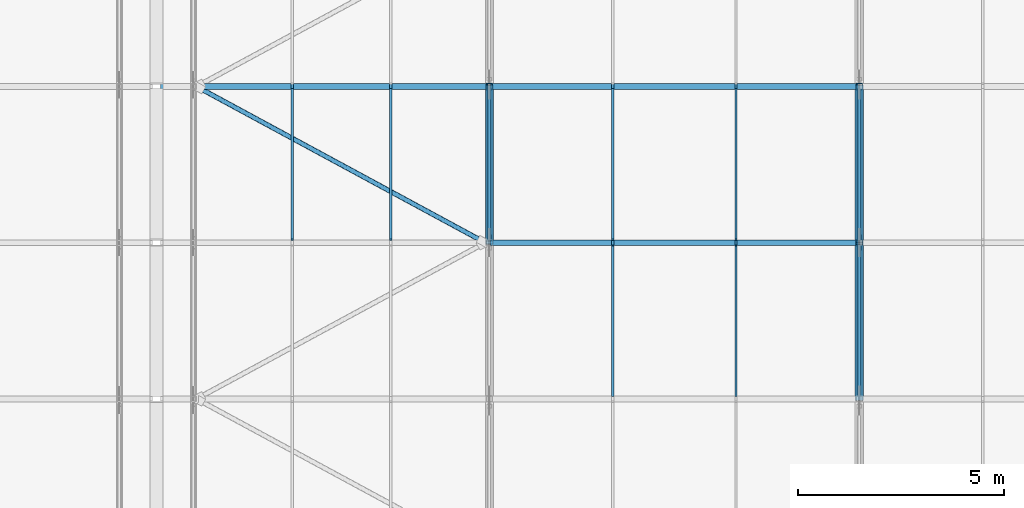
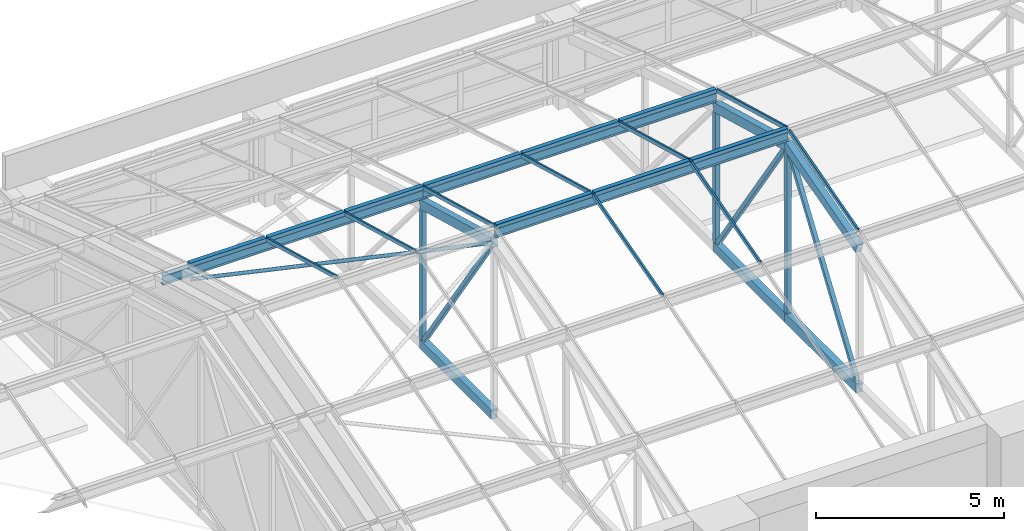
# One storey, part 26 of 82: 34 members, 1 element without a shape of its own.
"""IFC4 building model written with IfcOpenShell, lengths in metres."""

from ifc_helpers import new_model, si_unit, direction, frame, origin, origin_2d, place, context, subcontext, project, spatial, rectangle, hollow_rectangle, hollow_circle, i_section, extrude, material, material_profile, profile_set, type_object, element, aggregate, save


model = new_model("IFC4")

# Units and contexts
model_context = context("Model", 3, precision=1e-05, world=origin(), true_north=direction((0.0, 1.0)))
body_context = subcontext(model_context, "Body", "Model", "MODEL_VIEW")
ifc_project = project(units=[si_unit("LENGTHUNIT", "METRE"), si_unit("AREAUNIT", "SQUARE_METRE"), si_unit("VOLUMEUNIT", "CUBIC_METRE"), si_unit("PLANEANGLEUNIT", "RADIAN"), si_unit("MASSUNIT", "GRAM", prefix="KILO")], contexts=[model_context])

# Site, building, storey
site_placement = place(None, origin())
site = spatial("IfcSite", under=ifc_project, at=site_placement, CompositionType="ELEMENT")
building_placement = place(site_placement, origin())
building = spatial("IfcBuilding", under=site, at=building_placement, Name="Aravalli Gate Trade Fair Centre", CompositionType="ELEMENT")
storey_placement = place(building_placement, frame((0.0, 0.0, 19.199951171875)))
storey = spatial("IfcBuildingStorey", under=building, at=storey_placement, Name="L04", CompositionType="ELEMENT", Elevation=19.199951171875)

# Members
ifc_material_1 = material(Name="Steel E350", Category="steel")
ifc_material_profile_1 = material_profile(ifc_material_1, hollow_circle(Radius=0.05712890625, WallThickness=0.00439453125, at=origin_2d()), Name="CHS 114.3x4.5")
ifc_profile_set_1 = profile_set([ifc_material_profile_1], Name="Steel E350")
member_type_1 = type_object("IfcMemberType", Name="CHS 114.3x4.5 roof plan brace", PredefinedType="BRACE", material=ifc_profile_set_1)
member_1_placement = place(storey_placement, frame((106.875, 124.89990234375, 4.700439453125), z_axis=(0.872431905004, -0.471902765326, 0.127162695822), x_axis=(0.475765087011, 0.879572385868, 0.0)))
element("IfcMember", 1, at=member_1_placement, inside=storey, type_object=member_type_1, Name="Vault plan brace 13.4", PredefinedType="BRACE", context=body_context, shape_type="SweptSolid", body=[
    extrude(hollow_circle(Radius=0.05712890625, WallThickness=0.00439453125, at=origin_2d()), origin(), (0.0, 0.0, 1.0), 8.052001953125),
])
ifc_material_profile_2 = material_profile(ifc_material_1, i_section(OverallWidth=0.139892578125, OverallDepth=0.300048828125, WebThickness=0.0078125, FlangeThickness=0.01318359375, at=origin_2d()), Name="ISMB 300")
ifc_profile_set_2 = profile_set([ifc_material_profile_2], Name="Steel E350")
member_type_2 = type_object("IfcMemberType", Name="ISMB 300 roof purlin", PredefinedType="PURLIN", material=ifc_profile_set_2)
member_2_placement = place(storey_placement, frame((106.0, 124.89990234375, 4.999267578125), z_axis=(1.0, 0.0, 0.0), x_axis=(0.0, 1.0, 0.0)))
element("IfcMember", 2, at=member_2_placement, inside=storey, type_object=member_type_2, Name="Vault purlin 12A-13 F4", PredefinedType="PURLIN", context=body_context, shape_type="SweptSolid", body=[
    extrude(i_section(OverallWidth=0.139892578125, OverallDepth=0.300048828125, WebThickness=0.0078125, FlangeThickness=0.01318359375, at=origin_2d()), origin(), (0.0, 0.0, 1.0), 8.0),
])
for number, where, z_axis, x_axis, name in (
    (3, (114.0, 121.10009765625, 6.030029296875), (1.0, 0.0, 0.0), (0.0, 1.0, 0.0), "Vault purlin 13-14 F3"),
    (4, (114.0, 124.89990234375, 4.999267578125), (1.0, 0.0, 0.0), (0.0, 1.0, 0.0), "Vault purlin 13-14 F4"),
):
    element("IfcMember", number, at=place(storey_placement, frame(where, z_axis=z_axis, x_axis=x_axis)), inside=storey, type_object=member_type_2, Name=name, PredefinedType="PURLIN", context=body_context, shape_type="SweptSolid", body=[
        extrude(i_section(OverallWidth=0.139892578125, OverallDepth=0.300048828125, WebThickness=0.0078125, FlangeThickness=0.01318359375, at=origin_2d()), origin(), (0.0, 0.0, 1.0), 9.0),
    ])
ifc_material_profile_3 = material_profile(ifc_material_1, hollow_rectangle(XDim=0.199951171875, YDim=0.300048828125, WallThickness=0.011962890625, at=origin_2d()), Name="RHS 300x200x12")
ifc_profile_set_3 = profile_set([ifc_material_profile_3], Name="Steel E350")
member_type_3 = type_object("IfcMemberType", Name="RHS 300x200x12 CT1 truss chord", PredefinedType="CHORD", material=ifc_profile_set_3)
member_3_placement = place(storey_placement, frame((114.0, 121.10009765625, 5.724365234375), z_axis=(0.0, 0.96388962469, -0.266302067988), x_axis=(-1.0, 0.0, 0.0)))
element("IfcMember", 5, at=member_3_placement, inside=storey, type_object=member_type_3, Name="Concourse vault truss CT1 line 13 top chord T4", PredefinedType="CHORD", context=body_context, shape_type="SweptSolid", body=[
    extrude(hollow_rectangle(XDim=0.199951171875, YDim=0.300048828125, WallThickness=0.011962890625, at=origin_2d()), origin(), (0.0, 0.0, 1.0), 3.942138671875),
])
member_4_placement = place(storey_placement, frame((114.0, 121.10009765625, 0.150146484375), z_axis=(0.0, 1.0, 0.0), x_axis=(-1.0, 0.0, 0.0)))
element("IfcMember", 6, at=member_4_placement, inside=storey, type_object=member_type_3, Name="Concourse vault truss CT1 line 13 bottom chord B4", PredefinedType="CHORD", context=body_context, shape_type="SweptSolid", body=[
    extrude(hollow_rectangle(XDim=0.199951171875, YDim=0.300048828125, WallThickness=0.011962890625, at=origin_2d()), origin(), (0.0, 0.0, 1.0), 3.7998046875),
])
member_5_placement = place(storey_placement, frame((123.0, 117.300048828125, 4.674560546875), z_axis=(0.0, 0.963894016224, 0.266286172166), x_axis=(-1.0, 0.0, 0.0)))
element("IfcMember", 7, at=member_5_placement, inside=storey, type_object=member_type_3, Name="Concourse vault truss CT1 line 14 top chord T3", PredefinedType="CHORD", context=body_context, shape_type="SweptSolid", body=[
    extrude(hollow_rectangle(XDim=0.199951171875, YDim=0.300048828125, WallThickness=0.011962890625, at=origin_2d()), origin(), (0.0, 0.0, 1.0), 3.9423828125),
])
member_6_placement = place(storey_placement, frame((123.0, 117.300048828125, 0.150146484375), z_axis=(0.0, 1.0, 0.0), x_axis=(-1.0, 0.0, 0.0)))
element("IfcMember", 8, at=member_6_placement, inside=storey, type_object=member_type_3, Name="Concourse vault truss CT1 line 14 bottom chord B3", PredefinedType="CHORD", context=body_context, shape_type="SweptSolid", body=[
    extrude(hollow_rectangle(XDim=0.199951171875, YDim=0.300048828125, WallThickness=0.011962890625, at=origin_2d()), origin(), (0.0, 0.0, 1.0), 3.800048828125),
])
member_7_placement = place(storey_placement, frame((123.0, 121.10009765625, 5.724365234375), z_axis=(0.0, 0.96388962469, -0.266302067988), x_axis=(-1.0, 0.0, 0.0)))
element("IfcMember", 9, at=member_7_placement, inside=storey, type_object=member_type_3, Name="Concourse vault truss CT1 line 14 top chord T4", PredefinedType="CHORD", context=body_context, shape_type="SweptSolid", body=[
    extrude(hollow_rectangle(XDim=0.199951171875, YDim=0.300048828125, WallThickness=0.011962890625, at=origin_2d()), origin(), (0.0, 0.0, 1.0), 3.942138671875),
])
member_8_placement = place(storey_placement, frame((123.0, 121.10009765625, 0.150146484375), z_axis=(0.0, 1.0, 0.0), x_axis=(-1.0, 0.0, 0.0)))
element("IfcMember", 10, at=member_8_placement, inside=storey, type_object=member_type_3, Name="Concourse vault truss CT1 line 14 bottom chord B4", PredefinedType="CHORD", context=body_context, shape_type="SweptSolid", body=[
    extrude(hollow_rectangle(XDim=0.199951171875, YDim=0.300048828125, WallThickness=0.011962890625, at=origin_2d()), origin(), (0.0, 0.0, 1.0), 3.7998046875),
])
ifc_material_profile_4 = material_profile(ifc_material_1, hollow_rectangle(XDim=0.125, YDim=0.125, WallThickness=0.006103515625, at=origin_2d()), Name="SHS 125x125x6")
ifc_profile_set_4 = profile_set([ifc_material_profile_4], Name="Steel E350")
member_type_4 = type_object("IfcMemberType", Name="SHS 125x125x6 CT1 truss diagonal", PredefinedType="BRACE", material=ifc_profile_set_4)
for number, where, z_axis, x_axis, name in (
    (11, (114.0, 121.230712890625, 5.53271484375), (0.0, 0.5632471019, -0.826288510268), (-1.0, 0.0, 0.0), "Concourse vault truss CT1 line 13 diagonal D4"),
    (12, (123.0, 117.40234375, 0.300048828125), (0.0, 0.5632471019, 0.826288510268), (-1.0, 0.0, 0.0), "Concourse vault truss CT1 line 14 diagonal D3"),
    (13, (123.0, 121.230712890625, 5.53271484375), (0.0, 0.5632471019, -0.826288510268), (-1.0, 0.0, 0.0), "Concourse vault truss CT1 line 14 diagonal D4"),
):
    element("IfcMember", number, at=place(storey_placement, frame(where, z_axis=z_axis, x_axis=x_axis)), inside=storey, type_object=member_type_4, Name=name, PredefinedType="BRACE", context=body_context, shape_type="SweptSolid", body=[
        extrude(hollow_rectangle(XDim=0.125, YDim=0.125, WallThickness=0.006103515625, at=origin_2d()), origin(), (0.0, 0.0, 1.0), 6.332763671875),
    ])
ifc_material_profile_5 = material_profile(ifc_material_1, hollow_rectangle(XDim=0.14990234375, YDim=0.14990234375, WallThickness=0.006103515625, at=origin_2d()), Name="SHS 150x150x6")
ifc_profile_set_5 = profile_set([ifc_material_profile_5], Name="Steel E350")
member_type_5 = type_object("IfcMemberType", Name="SHS 150x150x6 CT1 truss post", PredefinedType="POST", material=ifc_profile_set_5)
member_9_placement = place(storey_placement, frame((114.0, 124.89990234375, 0.300048828125), z_axis=(0.0, 0.0, 1.0), x_axis=(1.0, 0.0, 0.0)))
element("IfcMember", 14, at=member_9_placement, inside=storey, type_object=member_type_5, Name="Concourse vault truss CT1 line 13 post V4", PredefinedType="POST", context=body_context, shape_type="SweptSolid", body=[
    extrude(hollow_rectangle(XDim=0.14990234375, YDim=0.14990234375, WallThickness=0.006103515625, at=origin_2d()), origin(), (0.0, 0.0, 1.0), 4.216552734375),
])
member_10_placement = place(storey_placement, frame((123.0, 121.10009765625, 0.300048828125), z_axis=(0.0, 0.0, 1.0), x_axis=(1.0, 0.0, 0.0)))
element("IfcMember", 15, at=member_10_placement, inside=storey, type_object=member_type_5, Name="Concourse vault truss CT1 line 14 post V3", PredefinedType="POST", context=body_context, shape_type="SweptSolid", body=[
    extrude(hollow_rectangle(XDim=0.14990234375, YDim=0.14990234375, WallThickness=0.006103515625, at=origin_2d()), origin(), (0.0, 0.0, 1.0), 5.268798828125),
])
member_11_placement = place(storey_placement, frame((123.0, 124.89990234375, 0.300048828125), z_axis=(0.0, 0.0, 1.0), x_axis=(1.0, 0.0, 0.0)))
element("IfcMember", 16, at=member_11_placement, inside=storey, type_object=member_type_5, Name="Concourse vault truss CT1 line 14 post V4", PredefinedType="POST", context=body_context, shape_type="SweptSolid", body=[
    extrude(hollow_rectangle(XDim=0.14990234375, YDim=0.14990234375, WallThickness=0.006103515625, at=origin_2d()), origin(), (0.0, 0.0, 1.0), 4.216552734375),
])
ifc_material_2 = material(Name="Aluminium", Category="aluminium")
ifc_material_profile_6 = material_profile(ifc_material_2, rectangle(XDim=0.139892578125, YDim=0.1201171875, at=origin_2d()), Name="Vault fold cap 140 x 120")
ifc_profile_set_6 = profile_set([ifc_material_profile_6], Name="Aluminium")
member_type_6 = type_object("IfcMemberType", Name="Vault fold cap 140 x 120", PredefinedType="USERDEFINED", material=ifc_profile_set_6)
member_12_placement = place(storey_placement, frame((106.830078125, 124.89990234375, 5.209228515625), z_axis=(1.0, 0.0, 0.0), x_axis=(0.0, 1.0, 0.0)))
element("IfcMember", 17, at=member_12_placement, inside=storey, type_object=member_type_6, Name="Vault fold cap e2.4", ObjectType="FOLD CAP", PredefinedType="USERDEFINED", context=body_context, shape_type="SweptSolid", body=[
    extrude(rectangle(XDim=0.139892578125, YDim=0.1201171875, at=origin_2d()), origin(), (0.0, 0.0, 1.0), 2.33984375),
])
for number, where, z_axis, x_axis, name in (
    (18, (109.22998046875, 124.89990234375, 5.209228515625), (1.0, 0.0, 0.0), (0.0, 1.0, 0.0), "Vault fold cap e3.4"),
    (19, (111.6298828125, 124.89990234375, 5.209228515625), (1.0, 0.0, 0.0), (0.0, 1.0, 0.0), "Vault fold cap e4.4"),
):
    element("IfcMember", number, at=place(storey_placement, frame(where, z_axis=z_axis, x_axis=x_axis)), inside=storey, type_object=member_type_6, Name=name, ObjectType="FOLD CAP", PredefinedType="USERDEFINED", context=body_context, shape_type="SweptSolid", body=[
        extrude(rectangle(XDim=0.139892578125, YDim=0.1201171875, at=origin_2d()), origin(), (0.0, 0.0, 1.0), 2.340087890625),
    ])
for number, where, z_axis, x_axis, name in (
    (20, (114.030029296875, 121.10009765625, 6.239990234375), (1.0, 0.0, 0.0), (0.0, 1.0, 0.0), "Vault fold cap e5.3"),
    (21, (114.030029296875, 124.89990234375, 5.209228515625), (1.0, 0.0, 0.0), (0.0, 1.0, 0.0), "Vault fold cap e5.4"),
    (22, (117.030029296875, 121.10009765625, 6.239990234375), (1.0, 0.0, 0.0), (0.0, 1.0, 0.0), "Vault fold cap e6.3"),
    (23, (117.030029296875, 124.89990234375, 5.209228515625), (1.0, 0.0, 0.0), (0.0, 1.0, 0.0), "Vault fold cap e6.4"),
    (24, (120.030029296875, 121.10009765625, 6.239990234375), (1.0, 0.0, 0.0), (0.0, 1.0, 0.0), "Vault fold cap e7.3"),
    (25, (120.030029296875, 124.89990234375, 5.209228515625), (1.0, 0.0, 0.0), (0.0, 1.0, 0.0), "Vault fold cap e7.4"),
):
    element("IfcMember", number, at=place(storey_placement, frame(where, z_axis=z_axis, x_axis=x_axis)), inside=storey, type_object=member_type_6, Name=name, ObjectType="FOLD CAP", PredefinedType="USERDEFINED", context=body_context, shape_type="SweptSolid", body=[
        extrude(rectangle(XDim=0.139892578125, YDim=0.1201171875, at=origin_2d()), origin(), (0.0, 0.0, 1.0), 2.93994140625),
    ])

# Curtain wall, members
ifc_material_3 = material(Name="Aluminium and glass", Category="aluminium")
curtain_wall_type = type_object("IfcCurtainWallType", Name="Vault curtain wall, sloped glazing", PredefinedType="NOTDEFINED", material=ifc_material_3)
curtain_wall_placement = place(storey_placement, origin())
curtain_wall = element("IfcCurtainWall", 26, at=curtain_wall_placement, inside=storey, type_object=curtain_wall_type, Name="Vault curtain wall e", PredefinedType="NOTDEFINED")
ifc_material_profile_7 = material_profile(ifc_material_2, rectangle(XDim=0.06005859375, YDim=0.1201171875, at=origin_2d()), Name="Vault glazing bar 60 x 120")
ifc_profile_set_7 = profile_set([ifc_material_profile_7], Name="Aluminium")
member_type_7 = type_object("IfcMemberType", Name="Vault glazing bar 60 x 120", PredefinedType="USERDEFINED", material=ifc_profile_set_7)
member_13_placement = place(storey_placement, frame((109.199951171875, 121.169921875, 6.218505859375), z_axis=(0.0, 0.963872602318, -0.266363673386), x_axis=(-1.0, 0.0, 0.0)))
member_13 = element("IfcMember", 27, at=member_13_placement, type_object=member_type_7, Name="Vault glazing bar e3.4", ObjectType="GLAZING BAR", PredefinedType="USERDEFINED", context=body_context, shape_type="SweptSolid", body=[
    extrude(rectangle(XDim=0.06005859375, YDim=0.1201171875, at=origin_2d()), origin(), (0.0, 0.0, 1.0), 3.79736328125),
])
member_14_placement = place(storey_placement, frame((111.60009765625, 121.169921875, 6.218505859375), z_axis=(0.0, 0.963872602318, -0.266363673386), x_axis=(-1.0, 0.0, 0.0)))
member_14 = element("IfcMember", 28, at=member_14_placement, type_object=member_type_7, Name="Vault glazing bar e4.4", ObjectType="GLAZING BAR", PredefinedType="USERDEFINED", context=body_context, shape_type="SweptSolid", body=[
    extrude(rectangle(XDim=0.06005859375, YDim=0.1201171875, at=origin_2d()), origin(), (0.0, 0.0, 1.0), 3.79736328125),
])
member_15_placement = place(storey_placement, frame((114.0, 121.169921875, 6.218505859375), z_axis=(0.0, 0.963872602318, -0.266363673386), x_axis=(-1.0, 0.0, 0.0)))
member_15 = element("IfcMember", 29, at=member_15_placement, type_object=member_type_7, Name="Vault glazing bar e5.4", ObjectType="GLAZING BAR", PredefinedType="USERDEFINED", context=body_context, shape_type="SweptSolid", body=[
    extrude(rectangle(XDim=0.06005859375, YDim=0.1201171875, at=origin_2d()), origin(), (0.0, 0.0, 1.0), 3.79736328125),
])
member_16_placement = place(storey_placement, frame((117.0, 117.3701171875, 5.20703125), z_axis=(0.0, 0.96386804037, 0.266380180859), x_axis=(-1.0, 0.0, 0.0)))
member_16 = element("IfcMember", 30, at=member_16_placement, type_object=member_type_7, Name="Vault glazing bar e6.3", ObjectType="GLAZING BAR", PredefinedType="USERDEFINED", context=body_context, shape_type="SweptSolid", body=[
    extrude(rectangle(XDim=0.06005859375, YDim=0.1201171875, at=origin_2d()), origin(), (0.0, 0.0, 1.0), 3.797119140625),
])
member_17_placement = place(storey_placement, frame((117.0, 121.169921875, 6.218505859375), z_axis=(0.0, 0.963872602318, -0.266363673386), x_axis=(-1.0, 0.0, 0.0)))
member_17 = element("IfcMember", 31, at=member_17_placement, type_object=member_type_7, Name="Vault glazing bar e6.4", ObjectType="GLAZING BAR", PredefinedType="USERDEFINED", context=body_context, shape_type="SweptSolid", body=[
    extrude(rectangle(XDim=0.06005859375, YDim=0.1201171875, at=origin_2d()), origin(), (0.0, 0.0, 1.0), 3.79736328125),
])
member_18_placement = place(storey_placement, frame((120.0, 117.3701171875, 5.20703125), z_axis=(0.0, 0.96386804037, 0.266380180859), x_axis=(-1.0, 0.0, 0.0)))
member_18 = element("IfcMember", 32, at=member_18_placement, type_object=member_type_7, Name="Vault glazing bar e7.3", ObjectType="GLAZING BAR", PredefinedType="USERDEFINED", context=body_context, shape_type="SweptSolid", body=[
    extrude(rectangle(XDim=0.06005859375, YDim=0.1201171875, at=origin_2d()), origin(), (0.0, 0.0, 1.0), 3.797119140625),
])
member_19_placement = place(storey_placement, frame((120.0, 121.169921875, 6.218505859375), z_axis=(0.0, 0.963872602318, -0.266363673386), x_axis=(-1.0, 0.0, 0.0)))
member_19 = element("IfcMember", 33, at=member_19_placement, type_object=member_type_7, Name="Vault glazing bar e7.4", ObjectType="GLAZING BAR", PredefinedType="USERDEFINED", context=body_context, shape_type="SweptSolid", body=[
    extrude(rectangle(XDim=0.06005859375, YDim=0.1201171875, at=origin_2d()), origin(), (0.0, 0.0, 1.0), 3.79736328125),
])
member_20_placement = place(storey_placement, frame((123.0, 117.3701171875, 5.20703125), z_axis=(0.0, 0.96386804037, 0.266380180859), x_axis=(-1.0, 0.0, 0.0)))
member_20 = element("IfcMember", 34, at=member_20_placement, type_object=member_type_7, Name="Vault glazing bar e8.3", ObjectType="GLAZING BAR", PredefinedType="USERDEFINED", context=body_context, shape_type="SweptSolid", body=[
    extrude(rectangle(XDim=0.06005859375, YDim=0.1201171875, at=origin_2d()), origin(), (0.0, 0.0, 1.0), 3.797119140625),
])
member_21_placement = place(storey_placement, frame((123.0, 121.169921875, 6.218505859375), z_axis=(0.0, 0.963872602318, -0.266363673386), x_axis=(-1.0, 0.0, 0.0)))
member_21 = element("IfcMember", 35, at=member_21_placement, type_object=member_type_7, Name="Vault glazing bar e8.4", ObjectType="GLAZING BAR", PredefinedType="USERDEFINED", context=body_context, shape_type="SweptSolid", body=[
    extrude(rectangle(XDim=0.06005859375, YDim=0.1201171875, at=origin_2d()), origin(), (0.0, 0.0, 1.0), 3.79736328125),
])
aggregate(curtain_wall, [member_13, member_14, member_15, member_16, member_17, member_18, member_19, member_20, member_21])

save(model, "model.ifc")
